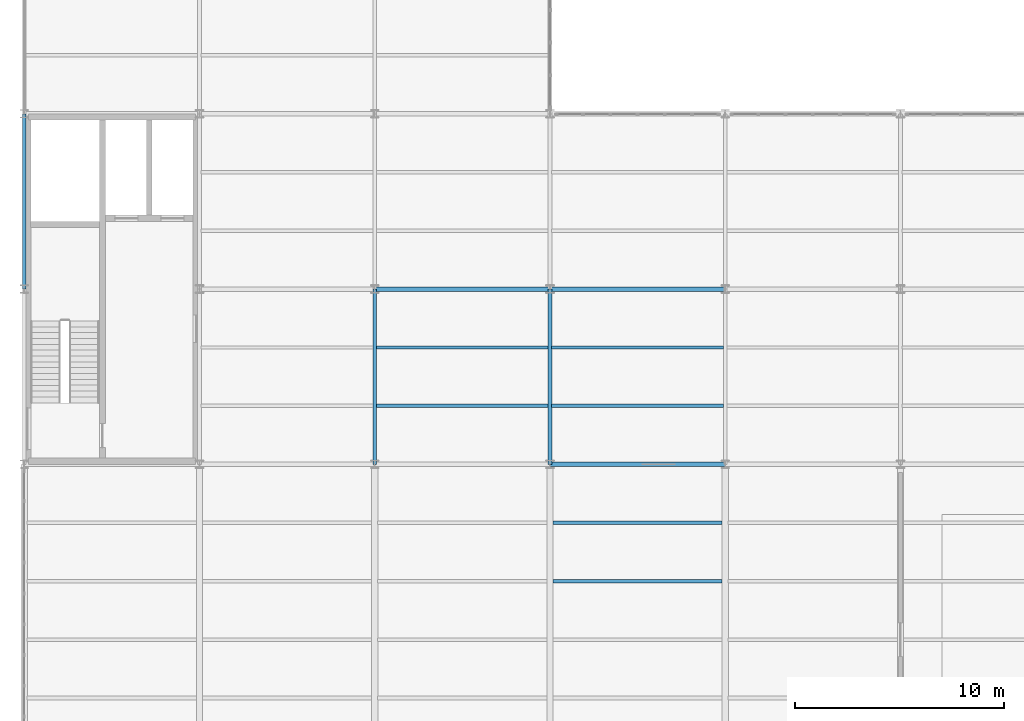
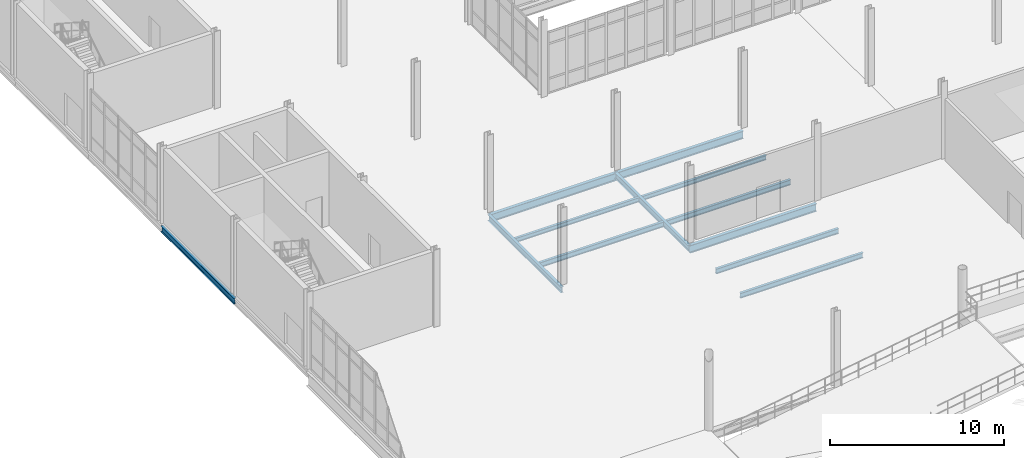
# One storey, part 28 of 111: 12 beams.
"""IFC4 building model written with IfcOpenShell, lengths in metres."""

import ifcopenshell
import ifcopenshell.guid

model = None  # the IFC model being written
_history = None  # IfcOwnerHistory: only IFC2X3 demands one
_inside = {}  # id of a spatial element -> (the spatial element, [elements in it])
_under = {}  # id of a project, library or spatial element -> (it, [spatial elements below it])
_declared = {}  # id of a project -> (the project, [libraries it declares])
_typed = {}  # id of a type object -> (the type object, [elements of that type])
_made_of = {}  # id of a material, layer set ... -> (it, [elements and type objects made of it])


def new_model(schema):
    """Start an empty IFC model of exactly this schema.

    Asked for "IFC4X3", IfcOpenShell would pick the latest addendum, in which some entities
    have other attributes; the version numbers below select the first issue.
    IFC2X3 requires an IfcOwnerHistory on every rooted entity: one is made here for all.
    """
    global model, _history
    if schema == "IFC4X3":
        model = ifcopenshell.file(schema_version=(4, 3, 0, 0))
    else:
        model = ifcopenshell.file(schema=schema)
    _inside.clear()
    _under.clear()
    _declared.clear()
    _typed.clear()
    _made_of.clear()
    _history = None
    if model.schema == "IFC2X3":
        org = make("IfcOrganization", Name="unknown")
        user = make(
            "IfcPersonAndOrganization",
            ThePerson=make("IfcPerson", FamilyName="unknown"),
            TheOrganization=org,
        )
        app = make(
            "IfcApplication",
            ApplicationDeveloper=org,
            Version="unknown",
            ApplicationFullName="unknown",
            ApplicationIdentifier="unknown",
        )
        _history = make(
            "IfcOwnerHistory",
            OwningUser=user,
            OwningApplication=app,
            ChangeAction="ADDED",
            CreationDate=0,
        )
    return model


def make(cls, **values):
    """One entity of the class cls with the attributes given. An attribute that is None is left unset."""
    return model.create_entity(
        cls, **{name: value for name, value in values.items() if value is not None}
    )


def rooted(cls, **values):
    """An entity with a GlobalId (a new one), such as an element, a storey or a relation."""
    return make(cls, GlobalId=ifcopenshell.guid.new(), OwnerHistory=_history, **values)


def si_unit(unit_type, name, prefix=None):
    """IfcSIUnit, for example si_unit("LENGTHUNIT", "METRE", prefix="MILLI")."""
    return make("IfcSIUnit", UnitType=unit_type, Prefix=prefix, Name=name)


def assignment(units):
    """IfcUnitAssignment: the units of a project."""
    return None if units is None else make("IfcUnitAssignment", Units=units)


def point(xyz):
    """IfcCartesianPoint."""
    return None if xyz is None else make("IfcCartesianPoint", Coordinates=xyz)


def direction(xyz):
    """IfcDirection."""
    return None if xyz is None else make("IfcDirection", DirectionRatios=xyz)


def frame(location, z_axis=None, x_axis=None):
    """IfcAxis2Placement3D, a coordinate frame: its origin and axes. An axis left out is left unset."""
    return make(
        "IfcAxis2Placement3D",
        Location=point(location),
        Axis=direction(z_axis),
        RefDirection=direction(x_axis),
    )


def frame_2d(location, x_axis=None):
    """IfcAxis2Placement2D, a coordinate frame in the plane: its origin and x axis."""
    return make(
        "IfcAxis2Placement2D", Location=point(location), RefDirection=direction(x_axis)
    )


def origin():
    """The frame at (0, 0, 0) with its axes left unset."""
    return frame((0.0, 0.0, 0.0))


def origin_2d():
    """The frame at (0, 0) in the plane with its x axis left unset."""
    return frame_2d((0.0, 0.0))


def place(relative_to, where):
    """IfcLocalPlacement: puts the frame where relative to a parent placement (None: the world)."""
    return make(
        "IfcLocalPlacement", PlacementRelTo=relative_to, RelativePlacement=where
    )


def context(
    kind, dimensions, precision=None, world=None, true_north=None, identifier=None
):
    """IfcGeometricRepresentationContext, for example the 3D "Model" context."""
    return make(
        "IfcGeometricRepresentationContext",
        ContextIdentifier=identifier,
        ContextType=kind,
        CoordinateSpaceDimension=dimensions,
        Precision=precision,
        WorldCoordinateSystem=world,
        TrueNorth=true_north,
    )


def subcontext(parent, identifier, kind, view, scale=None):
    """IfcGeometricRepresentationSubContext, for example "Body" below "Model"."""
    return make(
        "IfcGeometricRepresentationSubContext",
        ContextIdentifier=identifier,
        ContextType=kind,
        ParentContext=parent,
        TargetScale=scale,
        TargetView=view,
    )


def project(units=None, contexts=None):
    """IfcProject with its units and contexts."""
    return rooted(
        "IfcProject",
        Name="project",
        RepresentationContexts=contexts,
        UnitsInContext=assignment(units),
    )


def spatial(cls, under=None, at=None, **own):
    """A site, building, storey or space (cls), placed at a placement, below another one or the project."""
    s = rooted(cls, ObjectPlacement=at, **own)
    if under is not None:
        _under.setdefault(under.id(), (under, []))[1].append(s)
    return s


def profile(cls, at=None, kind="AREA", **sizes):
    """A parametric profile (cls). Its sizes go by their IFC names, for example OverallWidth=200.0."""
    return make(cls, ProfileType=kind, Position=at, **sizes)


def i_section(**sizes):
    """IfcIShapeProfileDef."""
    return profile("IfcIShapeProfileDef", **sizes)


def extrude(swept, where, along, depth):
    """IfcExtrudedAreaSolid: the profile swept, set in the frame where, extruded along a direction by depth."""
    return make(
        "IfcExtrudedAreaSolid",
        SweptArea=swept,
        Position=where,
        ExtrudedDirection=direction(along),
        Depth=depth,
    )


def shape(context_of_items, identifier, shape_type, items):
    """IfcShapeRepresentation: the items that make up one representation, for example the "Body"."""
    return make(
        "IfcShapeRepresentation",
        ContextOfItems=context_of_items,
        RepresentationIdentifier=identifier,
        RepresentationType=shape_type,
        Items=items,
    )


def material(Name=None, Category=None):
    """IfcMaterial."""
    return make("IfcMaterial", Name=Name, Category=Category)


def material_profile(
    of_material, cross_section, Name=None, Category=None, Priority=None
):
    """IfcMaterialProfile: a cross section and its material."""
    return make(
        "IfcMaterialProfile",
        Name=Name,
        Material=of_material,
        Profile=cross_section,
        Priority=Priority,
        Category=Category,
    )


def profile_set(profiles, Name=None, composite=None):
    """IfcMaterialProfileSet."""
    return make(
        "IfcMaterialProfileSet",
        Name=Name,
        MaterialProfiles=profiles,
        CompositeProfile=composite,
    )


def made_of(thing, what):
    """Note that an element or type object is made of a material, layer set ...; save() writes the relation."""
    if what is not None:
        _made_of.setdefault(what.id(), (what, []))[1].append(thing)
    return thing


def type_object(cls, material=None, **own):
    """A type object (cls), such as IfcWallType, which elements share."""
    return made_of(rooted(cls, **own), material)


def element(
    cls,
    number,
    at=None,
    inside=None,
    cuts=None,
    type_object=None,
    material=None,
    context=None,
    identifier="Body",
    shape_type=None,
    held_by="IfcProductDefinitionShape",
    body=None,
    shapes=None,
    **own,
):
    """One element of the class cls, such as IfcWall. Its Tag is "e" and its number.

    at: its placement. inside: the storey or other place that contains it. cuts: it is an
    opening in that element (IfcRelVoidsElement). A single representation is given by context,
    identifier, shape_type and body (its items); several are given by shapes. held_by: the class
    of the entity that holds the representations. save() writes the other relations.
    """
    e = rooted(cls, Tag="e%d" % number, ObjectPlacement=at, **own)
    if body is not None:
        shapes = [shape(context, identifier, shape_type, body)]
    if shapes is not None:
        e.Representation = make(held_by, Representations=shapes)
    if inside is not None:
        _inside.setdefault(inside.id(), (inside, []))[1].append(e)
    if cuts is not None:
        rooted(
            "IfcRelVoidsElement", RelatingBuildingElement=cuts, RelatedOpeningElement=e
        )
    if type_object is not None:
        _typed.setdefault(type_object.id(), (type_object, []))[1].append(e)
    return made_of(e, material)


def aggregate(whole, parts):
    """IfcRelAggregates: a whole, such as a stair, and the parts it consists of."""
    return rooted("IfcRelAggregates", RelatingObject=whole, RelatedObjects=parts)


def save(model, path):
    """Write the relations noted so far, then the file.

    IfcRelAggregates (storeys below a building ...), IfcRelContainedInSpatialStructure (elements
    in a storey), IfcRelDefinesByType, IfcRelAssociatesMaterial and IfcRelDeclares: one each for
    every whole, place, type object, material and project.
    """
    for whole, parts in _under.values():
        aggregate(whole, parts)
    for where, things in _inside.values():
        rooted(
            "IfcRelContainedInSpatialStructure",
            RelatedElements=things,
            RelatingStructure=where,
        )
    for kind, things in _typed.values():
        rooted("IfcRelDefinesByType", RelatedObjects=things, RelatingType=kind)
    for what, things in _made_of.values():
        rooted("IfcRelAssociatesMaterial", RelatedObjects=things, RelatingMaterial=what)
    for by, libraries in _declared.values():
        rooted("IfcRelDeclares", RelatingContext=by, RelatedDefinitions=libraries)
    model.write(path)


model = new_model("IFC4")

# Units and contexts
model_context = context("Model", 3, precision=1e-05, world=origin(), true_north=direction((0.0, 1.0)))
body_context = subcontext(model_context, "Body", "Model", "MODEL_VIEW")
ifc_project = project(units=[si_unit("LENGTHUNIT", "METRE"), si_unit("AREAUNIT", "SQUARE_METRE"), si_unit("VOLUMEUNIT", "CUBIC_METRE"), si_unit("PLANEANGLEUNIT", "RADIAN"), si_unit("MASSUNIT", "GRAM", prefix="KILO"), si_unit("THERMODYNAMICTEMPERATUREUNIT", "KELVIN"), si_unit("POWERUNIT", "WATT")], contexts=[model_context])

# Site, building, storey
site_placement = place(None, origin())
site = spatial("IfcSite", under=ifc_project, at=site_placement, CompositionType="ELEMENT")
building_placement = place(site_placement, origin())
building = spatial("IfcBuilding", under=site, at=building_placement, Name="Tembeka Court Mobility Hub", CompositionType="ELEMENT")
storey_placement = place(building_placement, origin())
storey = spatial("IfcBuildingStorey", under=building, at=storey_placement, Name="L00", CompositionType="ELEMENT", Elevation=0.0)

# Beams
ifc_material = material(Name="Steel S355", Category="steel")
ifc_material_profile_1 = material_profile(ifc_material, i_section(OverallWidth=0.177978515625, OverallDepth=0.406005859375, WebThickness=0.0078125, FlangeThickness=0.0126953125, FilletRadius=0.01025390625, at=origin_2d()), Name="UKB 406x178x60")
ifc_profile_set_1 = profile_set([ifc_material_profile_1], Name="Steel S355")
beam_type_1 = type_object("IfcBeamType", Name="BM-B02", PredefinedType="BEAM", material=ifc_profile_set_1)
beam_1_placement = place(storey_placement, frame((0.0, 46.800048828125, -0.48291015625), z_axis=(0.0, 1.0, 0.0), x_axis=(-1.0, 0.0, 0.0)))
element("IfcBeam", 1, at=beam_1_placement, inside=storey, type_object=beam_type_1, Name="Beam B02 (BM-L00-Y0168)", PredefinedType="BEAM", context=body_context, shape_type="SweptSolid", body=[
    extrude(i_section(OverallWidth=0.177978515625, OverallDepth=0.406005859375, WebThickness=0.0078125, FlangeThickness=0.0126953125, FilletRadius=0.01025390625, at=origin_2d()), origin(), (0.0, 0.0, 1.0), 8.39990234375),
])
for number, where, z_axis, x_axis, name in (
    (2, (16.800048828125, 38.39990234375, -0.48291015625), (0.0, 1.0, 0.0), (-1.0, 0.0, 0.0), "Beam B02 (BM-L00-Y0189)"),
    (3, (25.199951171875, 38.39990234375, -0.48291015625), (0.0, 1.0, 0.0), (-1.0, 0.0, 0.0), "Beam B02 (BM-L00-Y0198)"),
):
    element("IfcBeam", number, at=place(storey_placement, frame(where, z_axis=z_axis, x_axis=x_axis)), inside=storey, type_object=beam_type_1, Name=name, PredefinedType="BEAM", context=body_context, shape_type="SweptSolid", body=[
        extrude(i_section(OverallWidth=0.177978515625, OverallDepth=0.406005859375, WebThickness=0.0078125, FlangeThickness=0.0126953125, FilletRadius=0.01025390625, at=origin_2d()), origin(), (0.0, 0.0, 1.0), 8.400146484375),
    ])
ifc_material_profile_2 = material_profile(ifc_material, i_section(OverallWidth=0.2099609375, OverallDepth=0.537109375, WebThickness=0.0107421875, FlangeThickness=0.017333984375, FilletRadius=0.0126953125, at=origin_2d()), Name="UKB 533x210x101")
ifc_profile_set_2 = profile_set([ifc_material_profile_2], Name="Steel S355")
beam_type_2 = type_object("IfcBeamType", Name="BM-G03", PredefinedType="USERDEFINED", material=ifc_profile_set_2)
beam_2_placement = place(storey_placement, frame((25.199951171875, 38.39990234375, -0.548583984375), z_axis=(1.0, 0.0, 0.0), x_axis=(0.0, 1.0, 0.0)))
element("IfcBeam", 4, at=beam_2_placement, inside=storey, type_object=beam_type_2, Name="Beam G03 (BM-L00-X0044)", ObjectType="GIRDER", PredefinedType="USERDEFINED", context=body_context, shape_type="SweptSolid", body=[
    extrude(i_section(OverallWidth=0.2099609375, OverallDepth=0.537109375, WebThickness=0.0107421875, FlangeThickness=0.017333984375, FilletRadius=0.0126953125, at=origin_2d()), origin(), (0.0, 0.0, 1.0), 8.400146484375),
])
beam_3_placement = place(storey_placement, frame((16.800048828125, 46.800048828125, -0.548583984375), z_axis=(1.0, 0.0, 0.0), x_axis=(0.0, 1.0, 0.0)))
element("IfcBeam", 5, at=beam_3_placement, inside=storey, type_object=beam_type_2, Name="Beam G03 (BM-L00-X0060)", ObjectType="GIRDER", PredefinedType="USERDEFINED", context=body_context, shape_type="SweptSolid", body=[
    extrude(i_section(OverallWidth=0.2099609375, OverallDepth=0.537109375, WebThickness=0.0107421875, FlangeThickness=0.017333984375, FilletRadius=0.0126953125, at=origin_2d()), origin(), (0.0, 0.0, 1.0), 8.39990234375),
])
beam_4_placement = place(storey_placement, frame((25.199951171875, 46.800048828125, -0.548583984375), z_axis=(1.0, 0.0, 0.0), x_axis=(0.0, 1.0, 0.0)))
element("IfcBeam", 6, at=beam_4_placement, inside=storey, type_object=beam_type_2, Name="Beam G03 (BM-L00-X0061)", ObjectType="GIRDER", PredefinedType="USERDEFINED", context=body_context, shape_type="SweptSolid", body=[
    extrude(i_section(OverallWidth=0.2099609375, OverallDepth=0.537109375, WebThickness=0.0107421875, FlangeThickness=0.017333984375, FilletRadius=0.0126953125, at=origin_2d()), origin(), (0.0, 0.0, 1.0), 8.400146484375),
])
ifc_material_profile_3 = material_profile(ifc_material, i_section(OverallWidth=0.172119140625, OverallDepth=0.35498046875, WebThickness=0.00732421875, FlangeThickness=0.011474609375, FilletRadius=0.01025390625, at=origin_2d()), Name="UKB 356x171x51")
ifc_profile_set_3 = profile_set([ifc_material_profile_3], Name="Steel S355")
beam_type_3 = type_object("IfcBeamType", Name="BM-J01", PredefinedType="JOIST", material=ifc_profile_set_3)
for number, where, z_axis, x_axis, name in (
    (7, (25.344970703125, 32.800048828125, -0.45751953125), (1.0, 0.0, 0.0), (0.0, 1.0, 0.0), "Beam J01 (JST-L00-0381)"),
    (8, (25.344970703125, 35.60009765625, -0.45751953125), (1.0, 0.0, 0.0), (0.0, 1.0, 0.0), "Beam J01 (JST-L00-0382)"),
):
    element("IfcBeam", number, at=place(storey_placement, frame(where, z_axis=z_axis, x_axis=x_axis)), inside=storey, type_object=beam_type_3, Name=name, PredefinedType="JOIST", context=body_context, shape_type="SweptSolid", body=[
        extrude(i_section(OverallWidth=0.172119140625, OverallDepth=0.35498046875, WebThickness=0.00732421875, FlangeThickness=0.011474609375, FilletRadius=0.01025390625, at=origin_2d()), origin(), (0.0, 0.0, 1.0), 8.110107421875),
    ])
ifc_material_profile_4 = material_profile(ifc_material, i_section(OverallWidth=0.1650390625, OverallDepth=0.303955078125, WebThickness=0.006103515625, FlangeThickness=0.01025390625, FilletRadius=0.0087890625, at=origin_2d()), Name="UKB 305x165x40")
ifc_profile_set_4 = profile_set([ifc_material_profile_4], Name="Steel S355")
beam_type_4 = type_object("IfcBeamType", Name="BM-J02", PredefinedType="JOIST", material=ifc_profile_set_4)
beam_5_placement = place(storey_placement, frame((16.884033203125, 44.0, -0.431884765625), z_axis=(1.0, 0.0, 0.0), x_axis=(0.0, 1.0, 0.0)))
element("IfcBeam", 9, at=beam_5_placement, inside=storey, type_object=beam_type_4, Name="Beam J02 (JST-L00-0364)", PredefinedType="JOIST", context=body_context, shape_type="SweptSolid", body=[
    extrude(i_section(OverallWidth=0.1650390625, OverallDepth=0.303955078125, WebThickness=0.006103515625, FlangeThickness=0.01025390625, FilletRadius=0.0087890625, at=origin_2d()), origin(), (0.0, 0.0, 1.0), 8.23193359375),
])
beam_6_placement = place(storey_placement, frame((25.283935546875, 44.0, -0.431884765625), z_axis=(1.0, 0.0, 0.0), x_axis=(0.0, 1.0, 0.0)))
element("IfcBeam", 10, at=beam_6_placement, inside=storey, type_object=beam_type_4, Name="Beam J02 (JST-L00-0384)", PredefinedType="JOIST", context=body_context, shape_type="SweptSolid", body=[
    extrude(i_section(OverallWidth=0.1650390625, OverallDepth=0.303955078125, WebThickness=0.006103515625, FlangeThickness=0.01025390625, FilletRadius=0.0087890625, at=origin_2d()), origin(), (0.0, 0.0, 1.0), 8.232177734375),
])
ifc_material_profile_5 = material_profile(ifc_material, i_section(OverallWidth=0.169921875, OverallDepth=0.360107421875, WebThickness=0.008056640625, FlangeThickness=0.0126953125, FilletRadius=0.01806640625, at=origin_2d()), Name="IPE 360")
ifc_profile_set_5 = profile_set([ifc_material_profile_5], Name="Steel S355")
beam_type_5 = type_object("IfcBeamType", Name="BM-J03", PredefinedType="JOIST", material=ifc_profile_set_5)
beam_7_placement = place(storey_placement, frame((16.884033203125, 41.199951171875, -0.4599609375), z_axis=(1.0, 0.0, 0.0), x_axis=(0.0, 1.0, 0.0)))
element("IfcBeam", 11, at=beam_7_placement, inside=storey, type_object=beam_type_5, Name="Beam J03 (JST-L00-0363)", PredefinedType="JOIST", context=body_context, shape_type="SweptSolid", body=[
    extrude(i_section(OverallWidth=0.169921875, OverallDepth=0.360107421875, WebThickness=0.008056640625, FlangeThickness=0.0126953125, FilletRadius=0.01806640625, at=origin_2d()), origin(), (0.0, 0.0, 1.0), 8.23193359375),
])
beam_8_placement = place(storey_placement, frame((25.283935546875, 41.199951171875, -0.4599609375), z_axis=(1.0, 0.0, 0.0), x_axis=(0.0, 1.0, 0.0)))
element("IfcBeam", 12, at=beam_8_placement, inside=storey, type_object=beam_type_5, Name="Beam J03 (JST-L00-0383)", PredefinedType="JOIST", context=body_context, shape_type="SweptSolid", body=[
    extrude(i_section(OverallWidth=0.169921875, OverallDepth=0.360107421875, WebThickness=0.008056640625, FlangeThickness=0.0126953125, FilletRadius=0.01806640625, at=origin_2d()), origin(), (0.0, 0.0, 1.0), 8.232177734375),
])

save(model, "model.ifc")
